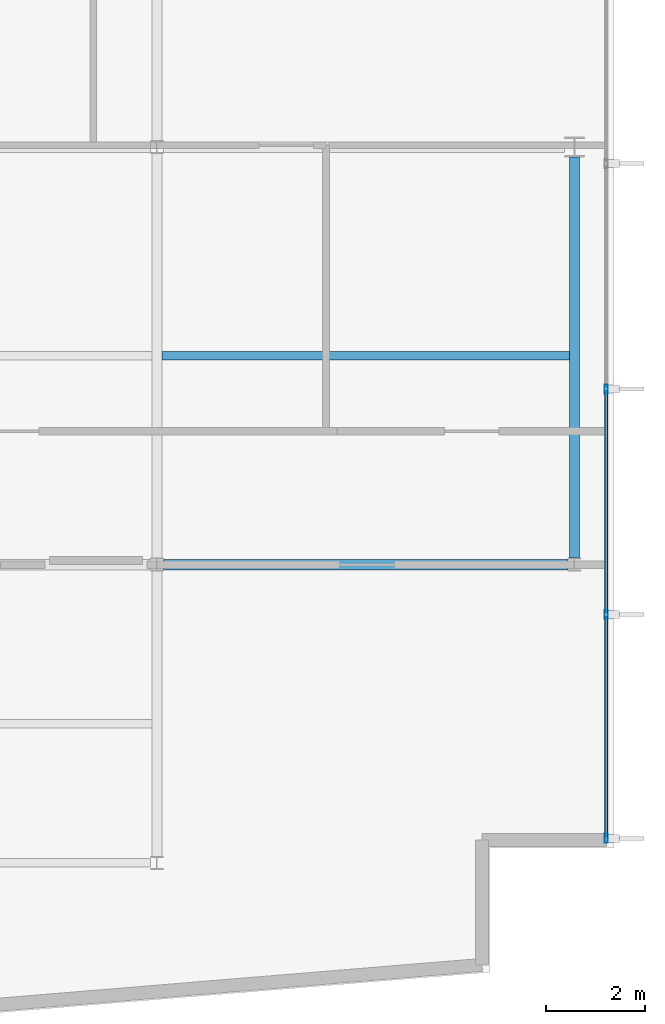
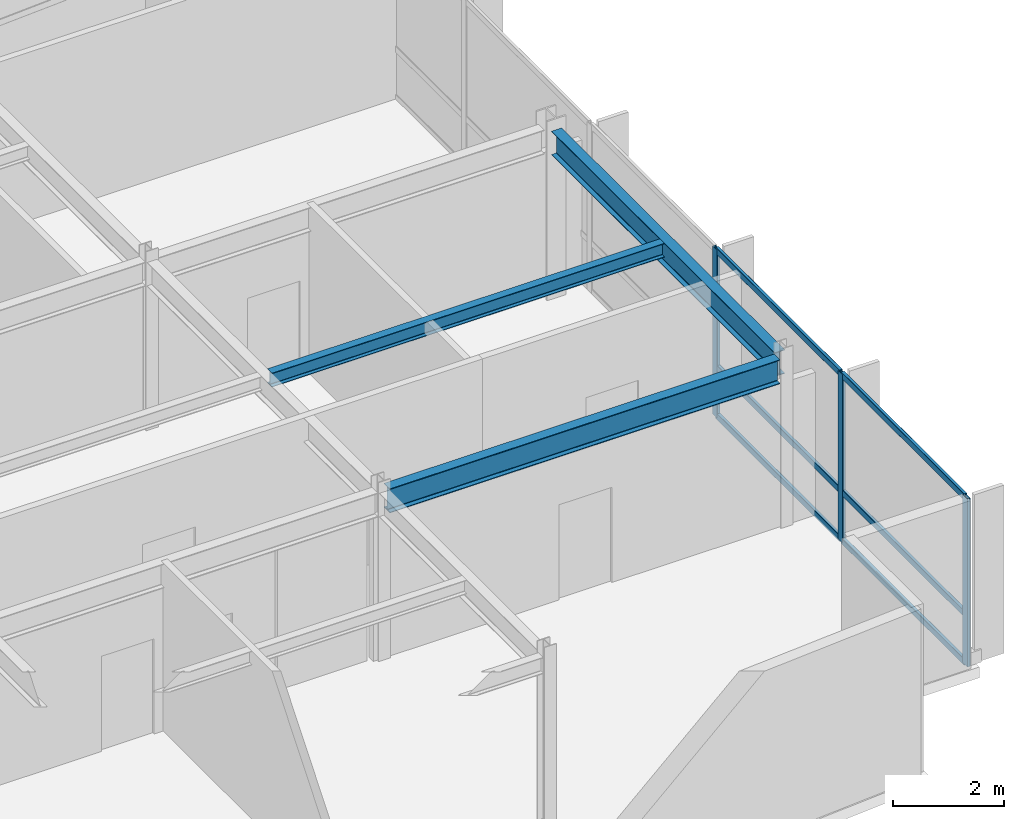
# One storey, part 5 of 15: 9 members, 3 beams, 1 element without a shape of its own.
"""IFC4 building model written with IfcOpenShell, lengths in metres."""

from ifc_helpers import new_model, si_unit, direction, frame, origin, origin_2d, place, context, subcontext, project, spatial, hollow_rectangle, i_section, extrude, material, layer, layer_set, material_profile, profile_set, type_object, element, aggregate, save


model = new_model("IFC4")

# Units and contexts
model_context = context("Model", 3, precision=1e-05, world=origin(), true_north=direction((0.0, 1.0)))
body_context = subcontext(model_context, "Body", "Model", "MODEL_VIEW")
ifc_project = project(units=[si_unit("LENGTHUNIT", "METRE"), si_unit("AREAUNIT", "SQUARE_METRE"), si_unit("VOLUMEUNIT", "CUBIC_METRE"), si_unit("PLANEANGLEUNIT", "RADIAN"), si_unit("MASSUNIT", "GRAM", prefix="KILO")], contexts=[model_context])

# Site, building, storey
site_placement = place(None, origin())
site = spatial("IfcSite", under=ifc_project, at=site_placement, CompositionType="ELEMENT")
building_placement = place(site_placement, origin())
building = spatial("IfcBuilding", under=site, at=building_placement, Name="Varnakote Quay Hospital", CompositionType="ELEMENT")
storey_placement = place(building_placement, frame((0.0, 0.0, 207.89990234375)))
storey = spatial("IfcBuildingStorey", under=building, at=storey_placement, Name="L51", CompositionType="ELEMENT", Elevation=207.89990234375)

# Beams
ifc_material_1 = material(Name="Structural steel AS/NZS 3679.1 Grade 350 L0 (fy 340 MPa)", Category="steel")
ifc_material_profile_1 = material_profile(ifc_material_1, i_section(OverallWidth=0.208984375, OverallDepth=0.528076171875, WebThickness=0.009521484375, FlangeThickness=0.01318359375, FilletRadius=0.013916015625, at=origin_2d()), Name="530UB82.0")
ifc_profile_set_1 = profile_set([ifc_material_profile_1], Name="Structural steel AS/NZS 3679.1 Grade 350 L0 (fy 340 MPa)")
beam_type_1 = type_object("IfcBeamType", Name="BM-STL-530UB82-0", PredefinedType="BEAM", material=ifc_profile_set_1)
beam_1_placement = place(storey_placement, frame((50.39990234375, 12.1298828125, 3.446044921875), z_axis=(0.0, 1.0, 0.0), x_axis=(-1.0, 0.0, 0.0)))
element("IfcBeam", 1, at=beam_1_placement, inside=storey, type_object=beam_type_1, Name="L51 Primary Tie Beam", PredefinedType="BEAM", context=body_context, shape_type="SweptSolid", body=[
    extrude(i_section(OverallWidth=0.208984375, OverallDepth=0.528076171875, WebThickness=0.009521484375, FlangeThickness=0.01318359375, FilletRadius=0.013916015625, at=origin_2d()), origin(), (0.0, 0.0, 1.0), 8.068115234375),
])
ifc_material_2 = material(Name="Structural steel AS/NZS 3679.1 Grade 350 L0 (fy 340 MPa)", Category="steel")
ifc_material_profile_2 = material_profile(ifc_material_2, i_section(OverallWidth=0.208984375, OverallDepth=0.532958984375, WebThickness=0.01025390625, FlangeThickness=0.015625, FilletRadius=0.013916015625, at=origin_2d()), Name="530UB92.4")
ifc_profile_set_2 = profile_set([ifc_material_profile_2], Name="Structural steel AS/NZS 3679.1 Grade 350 L0 (fy 340 MPa)")
beam_type_2 = type_object("IfcBeamType", Name="BM-STL-530UB92-4", PredefinedType="BEAM", material=ifc_profile_set_2)
beam_2_placement = place(storey_placement, frame((42.1279296875, 12.0, 3.443603515625), z_axis=(1.0, 0.0, 0.0), x_axis=(0.0, 1.0, 0.0)))
element("IfcBeam", 2, at=beam_2_placement, inside=storey, type_object=beam_type_2, Name="L51 Primary Floor Beam", PredefinedType="BEAM", context=body_context, shape_type="SweptSolid", body=[
    extrude(i_section(OverallWidth=0.208984375, OverallDepth=0.532958984375, WebThickness=0.01025390625, FlangeThickness=0.015625, FilletRadius=0.013916015625, at=origin_2d()), origin(), (0.0, 0.0, 1.0), 8.14404296875),
])

# Curtain wall, members
ifc_material_3 = material(Name="Anodised aluminium 6063-T6 Bronze", Category="aluminium")
ifc_layer = layer(ifc_material_3, 0.219970703125)
ifc_layer_set = layer_set([ifc_layer], Name="Anodised aluminium 6063-T6 Bronze")
curtain_wall_type = type_object("IfcCurtainWallType", Name="CW-SYS-4", PredefinedType="NOTDEFINED", material=ifc_layer_set)
curtain_wall_placement = place(storey_placement, origin())
curtain_wall = element("IfcCurtainWall", 3, at=curtain_wall_placement, inside=storey, type_object=curtain_wall_type, Name="L51 Unitised Bronze Curtain Wall 1", PredefinedType="NOTDEFINED")
ifc_material_4 = material(Name="Anodised aluminium 6063-T6 Bronze", Category="aluminium")
ifc_material_profile_3 = material_profile(ifc_material_4, hollow_rectangle(XDim=0.06494140625, YDim=0.179931640625, WallThickness=0.00390625, InnerFilletRadius=0.00390625, OuterFilletRadius=0.008056640625, at=origin_2d()), Name="CW-MULL-180x65")
ifc_profile_set_3 = profile_set([ifc_material_profile_3], Name="Anodised aluminium 6063-T6 Bronze")
member_type_1 = type_object("IfcMemberType", Name="CW-MULL-180x65", PredefinedType="MULLION", material=ifc_profile_set_3)
member_1_placement = place(storey_placement, frame((51.0400390625, 6.492431640625, 0.0), z_axis=(0.0, 0.0, 1.0), x_axis=(-1.0, 0.0, 0.0)))
member_1 = element("IfcMember", 4, at=member_1_placement, type_object=member_type_1, Name="-4-L51-1 mullion 1", PredefinedType="MULLION", context=body_context, shape_type="SweptSolid", body=[
    extrude(hollow_rectangle(XDim=0.06494140625, YDim=0.179931640625, WallThickness=0.00390625, InnerFilletRadius=0.00390625, OuterFilletRadius=0.008056640625, at=origin_2d()), origin(), (0.0, 0.0, 1.0), 3.710205078125),
])
member_2_placement = place(storey_placement, frame((51.0400390625, 10.99609375, 0.0), z_axis=(0.0, 0.0, 1.0), x_axis=(-1.0, 0.0, 0.0)))
member_2 = element("IfcMember", 5, at=member_2_placement, type_object=member_type_1, Name="-4-L51-1 mullion 2", PredefinedType="MULLION", context=body_context, shape_type="SweptSolid", body=[
    extrude(hollow_rectangle(XDim=0.06494140625, YDim=0.179931640625, WallThickness=0.00390625, InnerFilletRadius=0.00390625, OuterFilletRadius=0.008056640625, at=origin_2d()), origin(), (0.0, 0.0, 1.0), 3.710205078125),
])
member_3_placement = place(storey_placement, frame((51.0400390625, 15.531982421875, 0.0), z_axis=(0.0, 0.0, 1.0), x_axis=(-1.0, 0.0, 0.0)))
member_3 = element("IfcMember", 6, at=member_3_placement, type_object=member_type_1, Name="-4-L51-1 mullion 3", PredefinedType="MULLION", context=body_context, shape_type="SweptSolid", body=[
    extrude(hollow_rectangle(XDim=0.06494140625, YDim=0.179931640625, WallThickness=0.00390625, InnerFilletRadius=0.00390625, OuterFilletRadius=0.008056640625, at=origin_2d()), origin(), (0.0, 0.0, 1.0), 3.710205078125),
])
ifc_material_5 = material(Name="Anodised aluminium 6063-T6 Bronze", Category="aluminium")
ifc_material_profile_4 = material_profile(ifc_material_5, hollow_rectangle(XDim=0.06494140625, YDim=0.139892578125, WallThickness=0.00390625, InnerFilletRadius=0.00390625, OuterFilletRadius=0.007568359375, at=origin_2d()), Name="CW-TRAN-140x65")
ifc_profile_set_4 = profile_set([ifc_material_profile_4], Name="Anodised aluminium 6063-T6 Bronze")
member_type_2 = type_object("IfcMemberType", Name="CW-TRAN-140x65", PredefinedType="USERDEFINED", material=ifc_profile_set_4)
member_4_placement = place(storey_placement, frame((51.0400390625, 6.52490234375, 0.03271484375), z_axis=(0.0, 1.0, 0.0), x_axis=(-1.0, 0.0, 0.0)))
member_4 = element("IfcMember", 7, at=member_4_placement, type_object=member_type_2, Name="-4-L51-1 transom 1.1", ObjectType="TRANSOM", PredefinedType="USERDEFINED", context=body_context, shape_type="SweptSolid", body=[
    extrude(hollow_rectangle(XDim=0.06494140625, YDim=0.139892578125, WallThickness=0.00390625, InnerFilletRadius=0.00390625, OuterFilletRadius=0.007568359375, at=origin_2d()), origin(), (0.0, 0.0, 1.0), 4.4384765625),
])
member_5_placement = place(storey_placement, frame((51.0400390625, 6.52490234375, 1.10009765625), z_axis=(0.0, 1.0, 0.0), x_axis=(-1.0, 0.0, 0.0)))
member_5 = element("IfcMember", 8, at=member_5_placement, type_object=member_type_2, Name="-4-L51-1 transom 1.2", ObjectType="TRANSOM", PredefinedType="USERDEFINED", context=body_context, shape_type="SweptSolid", body=[
    extrude(hollow_rectangle(XDim=0.06494140625, YDim=0.139892578125, WallThickness=0.00390625, InnerFilletRadius=0.00390625, OuterFilletRadius=0.007568359375, at=origin_2d()), origin(), (0.0, 0.0, 1.0), 4.4384765625),
])
member_6_placement = place(storey_placement, frame((51.0400390625, 6.52490234375, 3.677490234375), z_axis=(0.0, 1.0, 0.0), x_axis=(-1.0, 0.0, 0.0)))
member_6 = element("IfcMember", 9, at=member_6_placement, type_object=member_type_2, Name="-4-L51-1 transom 1.3", ObjectType="TRANSOM", PredefinedType="USERDEFINED", context=body_context, shape_type="SweptSolid", body=[
    extrude(hollow_rectangle(XDim=0.06494140625, YDim=0.139892578125, WallThickness=0.00390625, InnerFilletRadius=0.00390625, OuterFilletRadius=0.007568359375, at=origin_2d()), origin(), (0.0, 0.0, 1.0), 4.4384765625),
])
member_7_placement = place(storey_placement, frame((51.0400390625, 11.028564453125, 0.03271484375), z_axis=(0.0, 1.0, 0.0), x_axis=(-1.0, 0.0, 0.0)))
member_7 = element("IfcMember", 10, at=member_7_placement, type_object=member_type_2, Name="-4-L51-1 transom 2.1", ObjectType="TRANSOM", PredefinedType="USERDEFINED", context=body_context, shape_type="SweptSolid", body=[
    extrude(hollow_rectangle(XDim=0.06494140625, YDim=0.139892578125, WallThickness=0.00390625, InnerFilletRadius=0.00390625, OuterFilletRadius=0.007568359375, at=origin_2d()), origin(), (0.0, 0.0, 1.0), 4.470947265625),
])
member_8_placement = place(storey_placement, frame((51.0400390625, 11.028564453125, 1.10009765625), z_axis=(0.0, 1.0, 0.0), x_axis=(-1.0, 0.0, 0.0)))
member_8 = element("IfcMember", 11, at=member_8_placement, type_object=member_type_2, Name="-4-L51-1 transom 2.2", ObjectType="TRANSOM", PredefinedType="USERDEFINED", context=body_context, shape_type="SweptSolid", body=[
    extrude(hollow_rectangle(XDim=0.06494140625, YDim=0.139892578125, WallThickness=0.00390625, InnerFilletRadius=0.00390625, OuterFilletRadius=0.007568359375, at=origin_2d()), origin(), (0.0, 0.0, 1.0), 4.470947265625),
])
member_9_placement = place(storey_placement, frame((51.0400390625, 11.028564453125, 3.677490234375), z_axis=(0.0, 1.0, 0.0), x_axis=(-1.0, 0.0, 0.0)))
member_9 = element("IfcMember", 12, at=member_9_placement, type_object=member_type_2, Name="-4-L51-1 transom 2.3", ObjectType="TRANSOM", PredefinedType="USERDEFINED", context=body_context, shape_type="SweptSolid", body=[
    extrude(hollow_rectangle(XDim=0.06494140625, YDim=0.139892578125, WallThickness=0.00390625, InnerFilletRadius=0.00390625, OuterFilletRadius=0.007568359375, at=origin_2d()), origin(), (0.0, 0.0, 1.0), 4.470947265625),
])
aggregate(curtain_wall, [member_1, member_2, member_3, member_4, member_5, member_6, member_7, member_8, member_9])

# Beam
ifc_material_6 = material(Name="Structural steel AS/NZS 3679.1 Grade 350 L0 (fy 340 MPa)", Category="steel")
ifc_material_profile_5 = material_profile(ifc_material_6, i_section(OverallWidth=0.166015625, OverallDepth=0.306884765625, WebThickness=0.006591796875, FlangeThickness=0.01171875, FilletRadius=0.011474609375, at=origin_2d()), Name="310UB46.2")
ifc_profile_set_5 = profile_set([ifc_material_profile_5], Name="Structural steel AS/NZS 3679.1 Grade 350 L0 (fy 340 MPa)")
beam_type_3 = type_object("IfcBeamType", Name="JST-STL-310UB46-2", PredefinedType="JOIST", material=ifc_profile_set_5)
beam_3_placement = place(storey_placement, frame((42.1044921875, 16.199951171875, 3.556640625), z_axis=(1.0, 0.0, 0.0), x_axis=(0.0, 1.0, 0.0)))
element("IfcBeam", 13, at=beam_3_placement, inside=storey, type_object=beam_type_3, Name="L51 Composite Floor Joist", PredefinedType="JOIST", context=body_context, shape_type="SweptSolid", body=[
    extrude(i_section(OverallWidth=0.166015625, OverallDepth=0.306884765625, WebThickness=0.006591796875, FlangeThickness=0.01171875, FilletRadius=0.011474609375, at=origin_2d()), origin(), (0.0, 0.0, 1.0), 8.19091796875),
])

save(model, "model.ifc")
